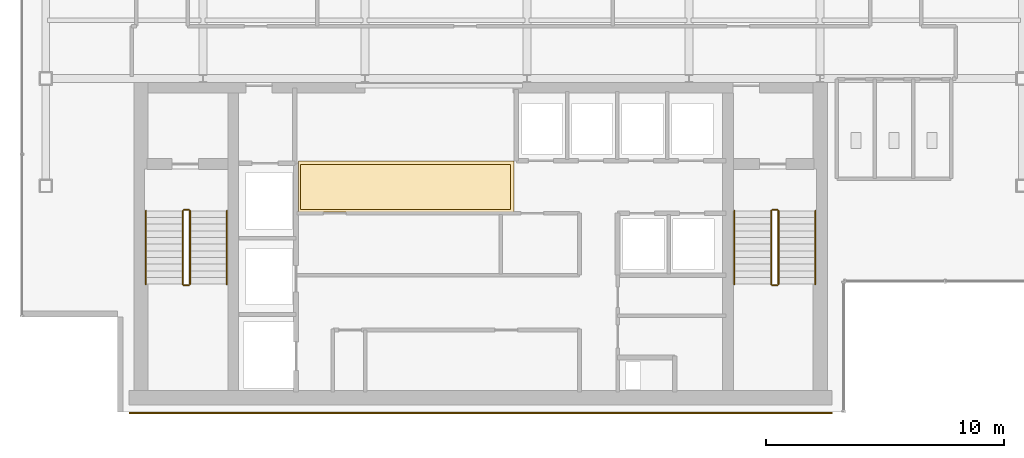
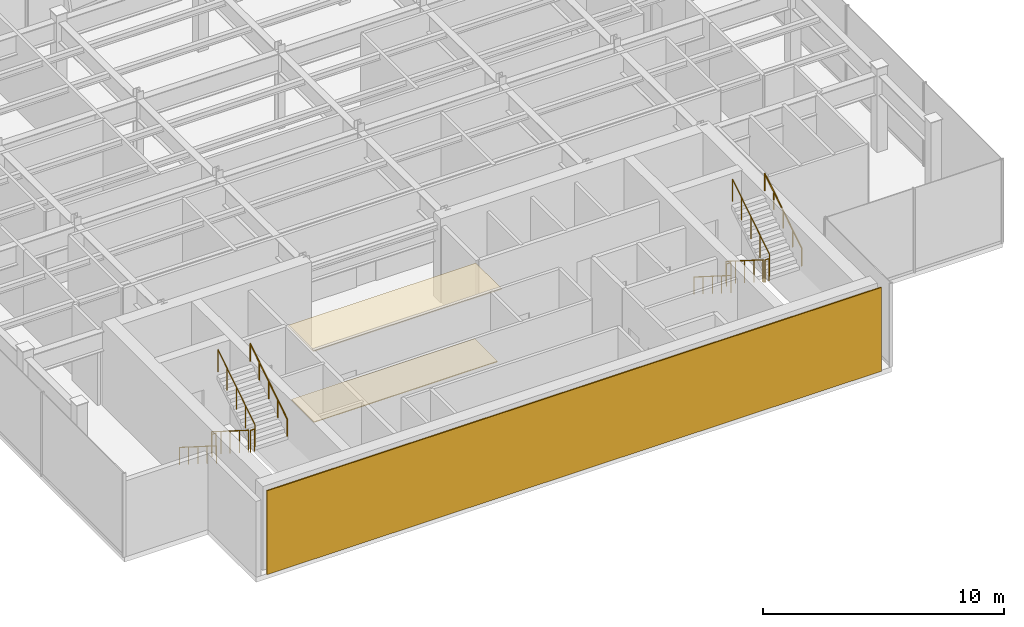
# One storey, part 22 of 24: 12 railings, 3 coverings.
"""IFC4 building model written with IfcOpenShell, lengths in metres."""

from ifc_helpers import new_model, si_unit, derived_unit, direction, frame, origin, origin_2d, place, context, subcontext, project, spatial, polyline, rectangle, circle, outline, extrude, source, transform, mapped, material, layer, layer_set, type_object, element, save


model = new_model("IFC4")

# Units and contexts
model_context = context("Model", 3, precision=1e-05, world=origin(), true_north=direction((0.0, 1.0)))
body_context = subcontext(model_context, "Body", "Model", "MODEL_VIEW")
ifc_project = project(units=[si_unit("LENGTHUNIT", "METRE"), si_unit("AREAUNIT", "SQUARE_METRE"), si_unit("VOLUMEUNIT", "CUBIC_METRE"), si_unit("PLANEANGLEUNIT", "RADIAN"), si_unit("MASSUNIT", "GRAM", prefix="KILO"), derived_unit("THERMALTRANSMITTANCEUNIT", [(si_unit("POWERUNIT", "WATT"), 1), (si_unit("LENGTHUNIT", "METRE"), -2), (si_unit("THERMODYNAMICTEMPERATUREUNIT", "KELVIN"), -1)])], contexts=[model_context])

# Site, building, storey
site_placement = place(None, origin())
site = spatial("IfcSite", under=ifc_project, at=site_placement, CompositionType="ELEMENT")
building_placement = place(site_placement, origin())
building = spatial("IfcBuilding", under=site, at=building_placement, Name="Skarnbrae Concourse Arena and Tower", CompositionType="ELEMENT")
storey_placement = place(building_placement, frame((0.0, 0.0, 288.0)))
storey = spatial("IfcBuildingStorey", under=building, at=storey_placement, Name="L75", CompositionType="ELEMENT", Elevation=288.0)

# Coverings
ifc_material_1 = material(Name="Mineral fibre acoustic ceiling tile", Category="other")
ifc_layer_1 = layer(ifc_material_1, 0.0400390625)
ifc_layer_set_1 = layer_set([ifc_layer_1], Name="Mineral fibre acoustic ceiling tile")
covering_type_1 = type_object("IfcCoveringType", Name="COV-CEIL-ACOUSTIC", PredefinedType="CEILING", material=ifc_layer_set_1)
covering_1_placement = place(storey_placement, frame((0.0, 0.0, 3.68994140625)))
element("IfcCovering", 1, at=covering_1_placement, inside=storey, type_object=covering_type_1, Name="L75 Lift lobby acoustic ceiling", PredefinedType="CEILING", context=body_context, shape_type="SweptSolid", body=[
    extrude(outline(polyline([(11.60009765625, 8.39990234375), (20.64990234375, 8.39990234375), (20.64990234375, 10.550048828125), (11.60009765625, 10.550048828125), (11.60009765625, 8.39990234375)])), origin(), (0.0, 0.0, 1.0), 0.0400390625),
])
ifc_material_2 = material(Name="Polished granite terrazzo flooring", Category="masonry")
ifc_layer_2 = layer(ifc_material_2, 0.0400390625)
ifc_layer_set_2 = layer_set([ifc_layer_2], Name="Polished granite terrazzo flooring")
covering_type_2 = type_object("IfcCoveringType", Name="COV-FLOOR-TERRAZZO", PredefinedType="FLOORING", material=ifc_layer_set_2)
covering_2_placement = place(storey_placement, origin())
element("IfcCovering", 2, at=covering_2_placement, inside=storey, type_object=covering_type_2, Name="L75 Lift lobby terrazzo flooring", PredefinedType="FLOORING", context=body_context, shape_type="SweptSolid", body=[
    extrude(outline(polyline([(11.699951171875, 8.5), (20.5, 8.5), (20.5, 10.39990234375), (11.699951171875, 10.39990234375), (11.699951171875, 8.5)])), origin(), (0.0, 0.0, 1.0), 0.0400390625),
])

# Railings
ifc_material_3 = material(Name="Steel CSA G40.21 350W", Category="steel")
railing_type_1 = type_object("IfcRailingType", Name="RAIL-HANDRAIL-900", PredefinedType="HANDRAIL", material=ifc_material_3)
railing_1_placement = place(storey_placement, frame((5.199951171875, 8.449951171875, 0.177001953125)))
element("IfcRailing", 3, at=railing_1_placement, inside=storey, type_object=railing_type_1, Name="L75 ST-1 stair handrail 1", PredefinedType="HANDRAIL", context=body_context, shape_type="SweptSolid", body=[
    extrude(circle(Radius=0.02392578125, at=origin_2d()), frame((0.0, 0.0, 0.8759765625), z_axis=(0.0, -0.84513689837, 0.534549925651), x_axis=(1.0, 0.0, 0.0)), (0.0, 0.0, 1.0), 3.644287109375),
    extrude(circle(Radius=0.02099609375, at=origin_2d()), origin(), (0.0, 0.0, 1.0), 0.851806640625),
    extrude(circle(Radius=0.02099609375, at=origin_2d()), frame((0.0, -0.77001953125, 0.487060546875)), (0.0, 0.0, 1.0), 0.851806640625),
    extrude(circle(Radius=0.02099609375, at=origin_2d()), frame((0.0, -1.5400390625, 0.97412109375)), (0.0, 0.0, 1.0), 0.851806640625),
    extrude(circle(Radius=0.02099609375, at=origin_2d()), frame((0.0, -2.309814453125, 1.4609375)), (0.0, 0.0, 1.0), 0.851806640625),
    extrude(circle(Radius=0.02099609375, at=origin_2d()), frame((0.0, -3.079833984375, 1.947998046875)), (0.0, 0.0, 1.0), 0.851806640625),
])
railing_2_placement = place(storey_placement, frame((8.60009765625, 5.3701171875, 2.302001953125)))
element("IfcRailing", 4, at=railing_2_placement, inside=storey, type_object=railing_type_1, Name="L75 ST-1 stair handrail 2", PredefinedType="HANDRAIL", context=body_context, shape_type="SweptSolid", body=[
    extrude(circle(Radius=0.02392578125, at=origin_2d()), frame((0.0, 0.0, 0.8759765625), z_axis=(0.0, 0.84513689837, 0.534549925651), x_axis=(-1.0, 0.0, 0.0)), (0.0, 0.0, 1.0), 3.644287109375),
    extrude(circle(Radius=0.02099609375, at=origin_2d()), origin(), (0.0, 0.0, 1.0), 0.851806640625),
    extrude(circle(Radius=0.02099609375, at=origin_2d()), frame((0.0, 0.77001953125, 0.487060546875)), (0.0, 0.0, 1.0), 0.851806640625),
    extrude(circle(Radius=0.02099609375, at=origin_2d()), frame((0.0, 1.5400390625, 0.97412109375)), (0.0, 0.0, 1.0), 0.851806640625),
    extrude(circle(Radius=0.02099609375, at=origin_2d()), frame((0.0, 2.309814453125, 1.4609375)), (0.0, 0.0, 1.0), 0.851806640625),
    extrude(circle(Radius=0.02099609375, at=origin_2d()), frame((0.0, 3.079833984375, 1.947998046875)), (0.0, 0.0, 1.0), 0.851806640625),
])
railing_3_placement = place(storey_placement, frame((29.89990234375, 8.449951171875, 0.177001953125)))
element("IfcRailing", 5, at=railing_3_placement, inside=storey, type_object=railing_type_1, Name="L75 ST-2 stair handrail 1", PredefinedType="HANDRAIL", context=body_context, shape_type="SweptSolid", body=[
    extrude(circle(Radius=0.02392578125, at=origin_2d()), frame((0.0, 0.0, 0.8759765625), z_axis=(0.0, -0.84513689837, 0.534549925651), x_axis=(1.0, 0.0, 0.0)), (0.0, 0.0, 1.0), 3.644287109375),
    extrude(circle(Radius=0.02099609375, at=origin_2d()), origin(), (0.0, 0.0, 1.0), 0.851806640625),
    extrude(circle(Radius=0.02099609375, at=origin_2d()), frame((0.0, -0.77001953125, 0.487060546875)), (0.0, 0.0, 1.0), 0.851806640625),
    extrude(circle(Radius=0.02099609375, at=origin_2d()), frame((0.0, -1.5400390625, 0.97412109375)), (0.0, 0.0, 1.0), 0.851806640625),
    extrude(circle(Radius=0.02099609375, at=origin_2d()), frame((0.0, -2.309814453125, 1.4609375)), (0.0, 0.0, 1.0), 0.851806640625),
    extrude(circle(Radius=0.02099609375, at=origin_2d()), frame((0.0, -3.079833984375, 1.947998046875)), (0.0, 0.0, 1.0), 0.851806640625),
])
railing_4_placement = place(storey_placement, frame((33.300048828125, 5.3701171875, 2.302001953125)))
element("IfcRailing", 6, at=railing_4_placement, inside=storey, type_object=railing_type_1, Name="L75 ST-2 stair handrail 2", PredefinedType="HANDRAIL", context=body_context, shape_type="SweptSolid", body=[
    extrude(circle(Radius=0.02392578125, at=origin_2d()), frame((0.0, 0.0, 0.8759765625), z_axis=(0.0, 0.84513689837, 0.534549925651), x_axis=(-1.0, 0.0, 0.0)), (0.0, 0.0, 1.0), 3.644287109375),
    extrude(circle(Radius=0.02099609375, at=origin_2d()), origin(), (0.0, 0.0, 1.0), 0.851806640625),
    extrude(circle(Radius=0.02099609375, at=origin_2d()), frame((0.0, 0.77001953125, 0.487060546875)), (0.0, 0.0, 1.0), 0.851806640625),
    extrude(circle(Radius=0.02099609375, at=origin_2d()), frame((0.0, 1.5400390625, 0.97412109375)), (0.0, 0.0, 1.0), 0.851806640625),
    extrude(circle(Radius=0.02099609375, at=origin_2d()), frame((0.0, 2.309814453125, 1.4609375)), (0.0, 0.0, 1.0), 0.851806640625),
    extrude(circle(Radius=0.02099609375, at=origin_2d()), frame((0.0, 3.079833984375, 1.947998046875)), (0.0, 0.0, 1.0), 0.851806640625),
])
railing_type_2 = type_object("IfcRailingType", Name="RAIL-STAIR-GUARD-1150", PredefinedType="GUARDRAIL", material=ifc_material_3)
railing_5_placement = place(storey_placement, frame((6.75, 8.449951171875, 0.177001953125)))
element("IfcRailing", 7, at=railing_5_placement, inside=storey, type_object=railing_type_2, Name="L75 ST-1 stair guard 1", PredefinedType="GUARDRAIL", context=body_context, shape_type="SweptSolid", body=[
    extrude(circle(Radius=0.02392578125, at=origin_2d()), frame((0.0, 0.0, 1.1259765625), z_axis=(0.0, -0.84513689837, 0.534549925651), x_axis=(1.0, 0.0, 0.0)), (0.0, 0.0, 1.0), 3.644287109375),
    extrude(circle(Radius=0.02099609375, at=origin_2d()), origin(), (0.0, 0.0, 1.0), 1.101806640625),
    extrude(circle(Radius=0.02099609375, at=origin_2d()), frame((0.0, -0.77001953125, 0.487060546875)), (0.0, 0.0, 1.0), 1.101806640625),
    extrude(circle(Radius=0.02099609375, at=origin_2d()), frame((0.0, -1.5400390625, 0.97412109375)), (0.0, 0.0, 1.0), 1.101806640625),
    extrude(circle(Radius=0.02099609375, at=origin_2d()), frame((0.0, -2.309814453125, 1.4609375)), (0.0, 0.0, 1.0), 1.101806640625),
    extrude(circle(Radius=0.02099609375, at=origin_2d()), frame((0.0, -3.079833984375, 1.947998046875)), (0.0, 0.0, 1.0), 1.101806640625),
])
railing_6_placement = place(storey_placement, frame((6.800048828125, 5.320068359375, 2.125)))
element("IfcRailing", 8, at=railing_6_placement, inside=storey, type_object=railing_type_2, Name="L75 ST-1 stair guard 2", PredefinedType="GUARDRAIL", context=body_context, shape_type="SweptSolid", body=[
    extrude(circle(Radius=0.02392578125, at=origin_2d()), frame((0.0, 0.0, 1.1259765625), z_axis=(1.0, 0.0, 0.0), x_axis=(0.0, 1.0, 0.0)), (0.0, 0.0, 1.0), 0.199951171875),
    extrude(circle(Radius=0.02099609375, at=origin_2d()), origin(), (0.0, 0.0, 1.0), 1.101806640625),
    extrude(circle(Radius=0.02099609375, at=origin_2d()), frame((0.199951171875, 0.0, 0.0)), (0.0, 0.0, 1.0), 1.101806640625),
])
railing_7_placement = place(storey_placement, frame((7.050048828125, 5.3701171875, 2.302001953125)))
element("IfcRailing", 9, at=railing_7_placement, inside=storey, type_object=railing_type_2, Name="L75 ST-1 stair guard 3", PredefinedType="GUARDRAIL", context=body_context, shape_type="SweptSolid", body=[
    extrude(circle(Radius=0.02392578125, at=origin_2d()), frame((0.0, 0.0, 1.1259765625), z_axis=(0.0, 0.84513689837, 0.534549925651), x_axis=(-1.0, 0.0, 0.0)), (0.0, 0.0, 1.0), 3.644287109375),
    extrude(circle(Radius=0.02099609375, at=origin_2d()), origin(), (0.0, 0.0, 1.0), 1.101806640625),
    extrude(circle(Radius=0.02099609375, at=origin_2d()), frame((0.0, 0.77001953125, 0.487060546875)), (0.0, 0.0, 1.0), 1.101806640625),
    extrude(circle(Radius=0.02099609375, at=origin_2d()), frame((0.0, 1.5400390625, 0.97412109375)), (0.0, 0.0, 1.0), 1.101806640625),
    extrude(circle(Radius=0.02099609375, at=origin_2d()), frame((0.0, 2.309814453125, 1.4609375)), (0.0, 0.0, 1.0), 1.101806640625),
    extrude(circle(Radius=0.02099609375, at=origin_2d()), frame((0.0, 3.079833984375, 1.947998046875)), (0.0, 0.0, 1.0), 1.101806640625),
])
railing_8_placement = place(storey_placement, frame((6.800048828125, 8.5, 0.0)))
element("IfcRailing", 10, at=railing_8_placement, inside=storey, type_object=railing_type_2, Name="L75 ST-1 stair guard 4", PredefinedType="GUARDRAIL", context=body_context, shape_type="SweptSolid", body=[
    extrude(circle(Radius=0.02392578125, at=origin_2d()), frame((0.0, 0.0, 1.1259765625), z_axis=(1.0, 0.0, 0.0), x_axis=(0.0, 1.0, 0.0)), (0.0, 0.0, 1.0), 0.199951171875),
    extrude(circle(Radius=0.02099609375, at=origin_2d()), origin(), (0.0, 0.0, 1.0), 1.101806640625),
    extrude(circle(Radius=0.02099609375, at=origin_2d()), frame((0.199951171875, 0.0, 0.0)), (0.0, 0.0, 1.0), 1.101806640625),
])
railing_9_placement = place(storey_placement, frame((31.449951171875, 8.449951171875, 0.177001953125)))
element("IfcRailing", 11, at=railing_9_placement, inside=storey, type_object=railing_type_2, Name="L75 ST-2 stair guard 1", PredefinedType="GUARDRAIL", context=body_context, shape_type="SweptSolid", body=[
    extrude(circle(Radius=0.02392578125, at=origin_2d()), frame((0.0, 0.0, 1.1259765625), z_axis=(0.0, -0.84513689837, 0.534549925651), x_axis=(1.0, 0.0, 0.0)), (0.0, 0.0, 1.0), 3.644287109375),
    extrude(circle(Radius=0.02099609375, at=origin_2d()), origin(), (0.0, 0.0, 1.0), 1.101806640625),
    extrude(circle(Radius=0.02099609375, at=origin_2d()), frame((0.0, -0.77001953125, 0.487060546875)), (0.0, 0.0, 1.0), 1.101806640625),
    extrude(circle(Radius=0.02099609375, at=origin_2d()), frame((0.0, -1.5400390625, 0.97412109375)), (0.0, 0.0, 1.0), 1.101806640625),
    extrude(circle(Radius=0.02099609375, at=origin_2d()), frame((0.0, -2.309814453125, 1.4609375)), (0.0, 0.0, 1.0), 1.101806640625),
    extrude(circle(Radius=0.02099609375, at=origin_2d()), frame((0.0, -3.079833984375, 1.947998046875)), (0.0, 0.0, 1.0), 1.101806640625),
])
railing_10_placement = place(storey_placement, frame((31.5, 5.320068359375, 2.125)))
element("IfcRailing", 12, at=railing_10_placement, inside=storey, type_object=railing_type_2, Name="L75 ST-2 stair guard 2", PredefinedType="GUARDRAIL", context=body_context, shape_type="SweptSolid", body=[
    extrude(circle(Radius=0.02392578125, at=origin_2d()), frame((0.0, 0.0, 1.1259765625), z_axis=(1.0, 0.0, 0.0), x_axis=(0.0, 1.0, 0.0)), (0.0, 0.0, 1.0), 0.199951171875),
    extrude(circle(Radius=0.02099609375, at=origin_2d()), origin(), (0.0, 0.0, 1.0), 1.101806640625),
    extrude(circle(Radius=0.02099609375, at=origin_2d()), frame((0.199951171875, 0.0, 0.0)), (0.0, 0.0, 1.0), 1.101806640625),
])
railing_11_placement = place(storey_placement, frame((31.75, 5.3701171875, 2.302001953125)))
element("IfcRailing", 13, at=railing_11_placement, inside=storey, type_object=railing_type_2, Name="L75 ST-2 stair guard 3", PredefinedType="GUARDRAIL", context=body_context, shape_type="SweptSolid", body=[
    extrude(circle(Radius=0.02392578125, at=origin_2d()), frame((0.0, 0.0, 1.1259765625), z_axis=(0.0, 0.84513689837, 0.534549925651), x_axis=(-1.0, 0.0, 0.0)), (0.0, 0.0, 1.0), 3.644287109375),
    extrude(circle(Radius=0.02099609375, at=origin_2d()), origin(), (0.0, 0.0, 1.0), 1.101806640625),
    extrude(circle(Radius=0.02099609375, at=origin_2d()), frame((0.0, 0.77001953125, 0.487060546875)), (0.0, 0.0, 1.0), 1.101806640625),
    extrude(circle(Radius=0.02099609375, at=origin_2d()), frame((0.0, 1.5400390625, 0.97412109375)), (0.0, 0.0, 1.0), 1.101806640625),
    extrude(circle(Radius=0.02099609375, at=origin_2d()), frame((0.0, 2.309814453125, 1.4609375)), (0.0, 0.0, 1.0), 1.101806640625),
    extrude(circle(Radius=0.02099609375, at=origin_2d()), frame((0.0, 3.079833984375, 1.947998046875)), (0.0, 0.0, 1.0), 1.101806640625),
])
railing_12_placement = place(storey_placement, frame((31.5, 8.5, 0.0)))
element("IfcRailing", 14, at=railing_12_placement, inside=storey, type_object=railing_type_2, Name="L75 ST-2 stair guard 4", PredefinedType="GUARDRAIL", context=body_context, shape_type="SweptSolid", body=[
    extrude(circle(Radius=0.02392578125, at=origin_2d()), frame((0.0, 0.0, 1.1259765625), z_axis=(1.0, 0.0, 0.0), x_axis=(0.0, 1.0, 0.0)), (0.0, 0.0, 1.0), 0.199951171875),
    extrude(circle(Radius=0.02099609375, at=origin_2d()), origin(), (0.0, 0.0, 1.0), 1.101806640625),
    extrude(circle(Radius=0.02099609375, at=origin_2d()), frame((0.199951171875, 0.0, 0.0)), (0.0, 0.0, 1.0), 1.101806640625),
])

# Covering
ifc_material_4 = material(Name="Bronze anodised aluminium 6063-T6", Category="aluminium")
ifc_layer_3 = layer(ifc_material_4, 0.06005859375)
ifc_layer_set_3 = layer_set([ifc_layer_3], Name="Bronze anodised aluminium 6063-T6")
covering_type_3 = type_object("IfcCoveringType", Name="COV-CLAD-BRONZE-60", PredefinedType="CLADDING", material=ifc_layer_set_3)
shared_shape = source(origin(), body_context, "Body", "SweptSolid", [
    extrude(rectangle(XDim=29.5, YDim=0.06005859375, at=origin_2d()), origin(), (0.0, 0.0, 1.0), 4.25),
])
covering_3_placement = place(storey_placement, frame((19.25, -0.030029296875, 0.0), z_axis=(0.0, 0.0, 1.0), x_axis=(1.0, 0.0, 0.0)))
element("IfcCovering", 15, at=covering_3_placement, inside=storey, type_object=covering_type_3, Name="L75 Rear-core plumb spine bronze rainscreen panel", PredefinedType="CLADDING", context=body_context, shape_type="MappedRepresentation", body=[
    mapped(shared_shape, transform((0.0, 0.0, 0.0))),
])

save(model, "model.ifc")
